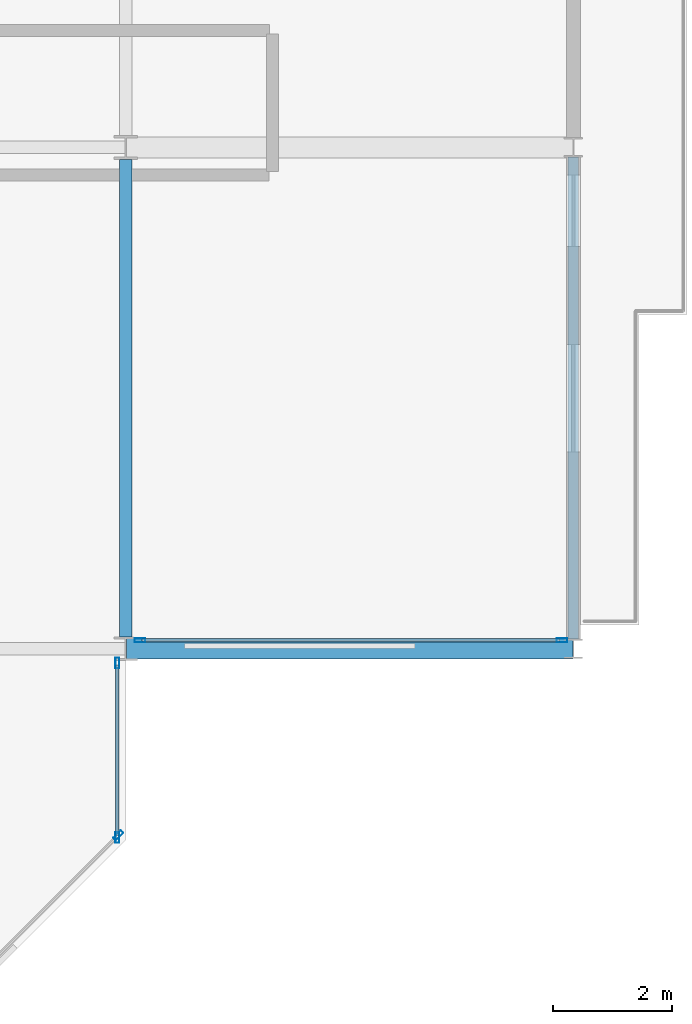
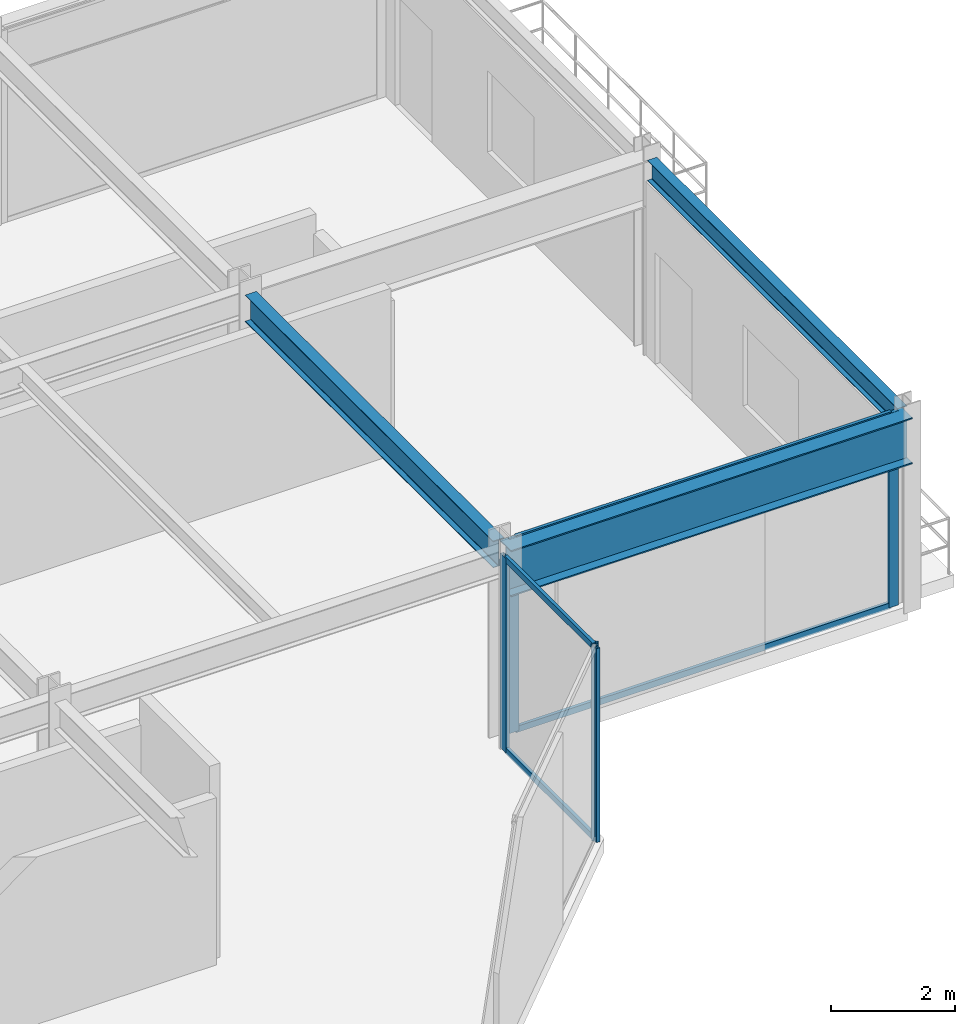
# One storey, part 18 of 38: 9 members, 3 beams, 3 elements without a shape of their own.
"""IFC4 building model written with IfcOpenShell, lengths in metres."""

import ifcopenshell
import ifcopenshell.guid

model = None  # the IFC model being written
_history = None  # IfcOwnerHistory: only IFC2X3 demands one
_inside = {}  # id of a spatial element -> (the spatial element, [elements in it])
_under = {}  # id of a project, library or spatial element -> (it, [spatial elements below it])
_declared = {}  # id of a project -> (the project, [libraries it declares])
_typed = {}  # id of a type object -> (the type object, [elements of that type])
_made_of = {}  # id of a material, layer set ... -> (it, [elements and type objects made of it])


def new_model(schema):
    """Start an empty IFC model of exactly this schema.

    Asked for "IFC4X3", IfcOpenShell would pick the latest addendum, in which some entities
    have other attributes; the version numbers below select the first issue.
    IFC2X3 requires an IfcOwnerHistory on every rooted entity: one is made here for all.
    """
    global model, _history
    if schema == "IFC4X3":
        model = ifcopenshell.file(schema_version=(4, 3, 0, 0))
    else:
        model = ifcopenshell.file(schema=schema)
    _inside.clear()
    _under.clear()
    _declared.clear()
    _typed.clear()
    _made_of.clear()
    _history = None
    if model.schema == "IFC2X3":
        org = make("IfcOrganization", Name="unknown")
        user = make(
            "IfcPersonAndOrganization",
            ThePerson=make("IfcPerson", FamilyName="unknown"),
            TheOrganization=org,
        )
        app = make(
            "IfcApplication",
            ApplicationDeveloper=org,
            Version="unknown",
            ApplicationFullName="unknown",
            ApplicationIdentifier="unknown",
        )
        _history = make(
            "IfcOwnerHistory",
            OwningUser=user,
            OwningApplication=app,
            ChangeAction="ADDED",
            CreationDate=0,
        )
    return model


def make(cls, **values):
    """One entity of the class cls with the attributes given. An attribute that is None is left unset."""
    return model.create_entity(
        cls, **{name: value for name, value in values.items() if value is not None}
    )


def rooted(cls, **values):
    """An entity with a GlobalId (a new one), such as an element, a storey or a relation."""
    return make(cls, GlobalId=ifcopenshell.guid.new(), OwnerHistory=_history, **values)


def si_unit(unit_type, name, prefix=None):
    """IfcSIUnit, for example si_unit("LENGTHUNIT", "METRE", prefix="MILLI")."""
    return make("IfcSIUnit", UnitType=unit_type, Prefix=prefix, Name=name)


def assignment(units):
    """IfcUnitAssignment: the units of a project."""
    return None if units is None else make("IfcUnitAssignment", Units=units)


def point(xyz):
    """IfcCartesianPoint."""
    return None if xyz is None else make("IfcCartesianPoint", Coordinates=xyz)


def direction(xyz):
    """IfcDirection."""
    return None if xyz is None else make("IfcDirection", DirectionRatios=xyz)


def frame(location, z_axis=None, x_axis=None):
    """IfcAxis2Placement3D, a coordinate frame: its origin and axes. An axis left out is left unset."""
    return make(
        "IfcAxis2Placement3D",
        Location=point(location),
        Axis=direction(z_axis),
        RefDirection=direction(x_axis),
    )


def frame_2d(location, x_axis=None):
    """IfcAxis2Placement2D, a coordinate frame in the plane: its origin and x axis."""
    return make(
        "IfcAxis2Placement2D", Location=point(location), RefDirection=direction(x_axis)
    )


def origin():
    """The frame at (0, 0, 0) with its axes left unset."""
    return frame((0.0, 0.0, 0.0))


def origin_2d():
    """The frame at (0, 0) in the plane with its x axis left unset."""
    return frame_2d((0.0, 0.0))


def place(relative_to, where):
    """IfcLocalPlacement: puts the frame where relative to a parent placement (None: the world)."""
    return make(
        "IfcLocalPlacement", PlacementRelTo=relative_to, RelativePlacement=where
    )


def context(
    kind, dimensions, precision=None, world=None, true_north=None, identifier=None
):
    """IfcGeometricRepresentationContext, for example the 3D "Model" context."""
    return make(
        "IfcGeometricRepresentationContext",
        ContextIdentifier=identifier,
        ContextType=kind,
        CoordinateSpaceDimension=dimensions,
        Precision=precision,
        WorldCoordinateSystem=world,
        TrueNorth=true_north,
    )


def subcontext(parent, identifier, kind, view, scale=None):
    """IfcGeometricRepresentationSubContext, for example "Body" below "Model"."""
    return make(
        "IfcGeometricRepresentationSubContext",
        ContextIdentifier=identifier,
        ContextType=kind,
        ParentContext=parent,
        TargetScale=scale,
        TargetView=view,
    )


def project(units=None, contexts=None):
    """IfcProject with its units and contexts."""
    return rooted(
        "IfcProject",
        Name="project",
        RepresentationContexts=contexts,
        UnitsInContext=assignment(units),
    )


def spatial(cls, under=None, at=None, **own):
    """A site, building, storey or space (cls), placed at a placement, below another one or the project."""
    s = rooted(cls, ObjectPlacement=at, **own)
    if under is not None:
        _under.setdefault(under.id(), (under, []))[1].append(s)
    return s


def profile(cls, at=None, kind="AREA", **sizes):
    """A parametric profile (cls). Its sizes go by their IFC names, for example OverallWidth=200.0."""
    return make(cls, ProfileType=kind, Position=at, **sizes)


def hollow_rectangle(**sizes):
    """IfcRectangleHollowProfileDef."""
    return profile("IfcRectangleHollowProfileDef", **sizes)


def i_section(**sizes):
    """IfcIShapeProfileDef."""
    return profile("IfcIShapeProfileDef", **sizes)


def extrude(swept, where, along, depth):
    """IfcExtrudedAreaSolid: the profile swept, set in the frame where, extruded along a direction by depth."""
    return make(
        "IfcExtrudedAreaSolid",
        SweptArea=swept,
        Position=where,
        ExtrudedDirection=direction(along),
        Depth=depth,
    )


def shape(context_of_items, identifier, shape_type, items):
    """IfcShapeRepresentation: the items that make up one representation, for example the "Body"."""
    return make(
        "IfcShapeRepresentation",
        ContextOfItems=context_of_items,
        RepresentationIdentifier=identifier,
        RepresentationType=shape_type,
        Items=items,
    )


def material(Name=None, Category=None):
    """IfcMaterial."""
    return make("IfcMaterial", Name=Name, Category=Category)


def layer(
    of_material, thickness, ventilated=None, Name=None, Category=None, Priority=None
):
    """IfcMaterialLayer: one layer of a wall or slab, of a material (None: an air gap)."""
    return make(
        "IfcMaterialLayer",
        Material=of_material,
        LayerThickness=thickness,
        IsVentilated=ventilated,
        Name=Name,
        Category=Category,
        Priority=Priority,
    )


def layer_set(layers, Name=None):
    """IfcMaterialLayerSet."""
    return make("IfcMaterialLayerSet", MaterialLayers=layers, LayerSetName=Name)


def material_profile(
    of_material, cross_section, Name=None, Category=None, Priority=None
):
    """IfcMaterialProfile: a cross section and its material."""
    return make(
        "IfcMaterialProfile",
        Name=Name,
        Material=of_material,
        Profile=cross_section,
        Priority=Priority,
        Category=Category,
    )


def profile_set(profiles, Name=None, composite=None):
    """IfcMaterialProfileSet."""
    return make(
        "IfcMaterialProfileSet",
        Name=Name,
        MaterialProfiles=profiles,
        CompositeProfile=composite,
    )


def made_of(thing, what):
    """Note that an element or type object is made of a material, layer set ...; save() writes the relation."""
    if what is not None:
        _made_of.setdefault(what.id(), (what, []))[1].append(thing)
    return thing


def type_object(cls, material=None, **own):
    """A type object (cls), such as IfcWallType, which elements share."""
    return made_of(rooted(cls, **own), material)


def element(
    cls,
    number,
    at=None,
    inside=None,
    cuts=None,
    type_object=None,
    material=None,
    context=None,
    identifier="Body",
    shape_type=None,
    held_by="IfcProductDefinitionShape",
    body=None,
    shapes=None,
    **own,
):
    """One element of the class cls, such as IfcWall. Its Tag is "e" and its number.

    at: its placement. inside: the storey or other place that contains it. cuts: it is an
    opening in that element (IfcRelVoidsElement). A single representation is given by context,
    identifier, shape_type and body (its items); several are given by shapes. held_by: the class
    of the entity that holds the representations. save() writes the other relations.
    """
    e = rooted(cls, Tag="e%d" % number, ObjectPlacement=at, **own)
    if body is not None:
        shapes = [shape(context, identifier, shape_type, body)]
    if shapes is not None:
        e.Representation = make(held_by, Representations=shapes)
    if inside is not None:
        _inside.setdefault(inside.id(), (inside, []))[1].append(e)
    if cuts is not None:
        rooted(
            "IfcRelVoidsElement", RelatingBuildingElement=cuts, RelatedOpeningElement=e
        )
    if type_object is not None:
        _typed.setdefault(type_object.id(), (type_object, []))[1].append(e)
    return made_of(e, material)


def aggregate(whole, parts):
    """IfcRelAggregates: a whole, such as a stair, and the parts it consists of."""
    return rooted("IfcRelAggregates", RelatingObject=whole, RelatedObjects=parts)


def save(model, path):
    """Write the relations noted so far, then the file.

    IfcRelAggregates (storeys below a building ...), IfcRelContainedInSpatialStructure (elements
    in a storey), IfcRelDefinesByType, IfcRelAssociatesMaterial and IfcRelDeclares: one each for
    every whole, place, type object, material and project.
    """
    for whole, parts in _under.values():
        aggregate(whole, parts)
    for where, things in _inside.values():
        rooted(
            "IfcRelContainedInSpatialStructure",
            RelatedElements=things,
            RelatingStructure=where,
        )
    for kind, things in _typed.values():
        rooted("IfcRelDefinesByType", RelatedObjects=things, RelatingType=kind)
    for what, things in _made_of.values():
        rooted("IfcRelAssociatesMaterial", RelatedObjects=things, RelatingMaterial=what)
    for by, libraries in _declared.values():
        rooted("IfcRelDeclares", RelatingContext=by, RelatedDefinitions=libraries)
    model.write(path)


model = new_model("IFC4")

# Units and contexts
model_context = context("Model", 3, precision=1e-05, world=origin(), true_north=direction((0.0, 1.0)))
body_context = subcontext(model_context, "Body", "Model", "MODEL_VIEW")
ifc_project = project(units=[si_unit("LENGTHUNIT", "METRE"), si_unit("AREAUNIT", "SQUARE_METRE"), si_unit("VOLUMEUNIT", "CUBIC_METRE"), si_unit("PLANEANGLEUNIT", "RADIAN"), si_unit("MASSUNIT", "GRAM", prefix="KILO")], contexts=[model_context])

# Site, building, storey
site_placement = place(None, origin())
site = spatial("IfcSite", under=ifc_project, at=site_placement, CompositionType="ELEMENT")
building_placement = place(site_placement, origin())
building = spatial("IfcBuilding", under=site, at=building_placement, Name="Nerrivon Quay Data Exchange", CompositionType="ELEMENT")
storey_placement = place(building_placement, frame((0.0, 0.0, 96.699951171875)))
storey = spatial("IfcBuildingStorey", under=building, at=storey_placement, Name="L22", CompositionType="ELEMENT", Elevation=96.699951171875)

# Beams
ifc_material_1 = material(Name="Steel Grade 350", Category="steel")
ifc_material_profile_1 = material_profile(ifc_material_1, i_section(OverallWidth=0.35009765625, OverallDepth=0.909912109375, WebThickness=0.011962890625, FlangeThickness=0.02490234375, at=origin_2d()), Name="900WB218")
ifc_profile_set_1 = profile_set([ifc_material_profile_1], Name="Steel Grade 350")
beam_type_1 = type_object("IfcBeamType", Name="BM-CANT-900WB", PredefinedType="USERDEFINED", material=ifc_profile_set_1)
beam_1_placement = place(storey_placement, frame((50.41259765625, 8.39990234375, 3.3701171875), z_axis=(1.0, 0.0, 0.0), x_axis=(0.0, 1.0, 0.0)))
element("IfcBeam", 1, at=beam_1_placement, inside=storey, type_object=beam_type_1, Name="L22 East Hooked Cantilever Girder Y=8.4", ObjectType="TRANSFER", PredefinedType="USERDEFINED", context=body_context, shape_type="SweptSolid", body=[
    extrude(i_section(OverallWidth=0.35009765625, OverallDepth=0.909912109375, WebThickness=0.011962890625, FlangeThickness=0.02490234375, at=origin_2d()), origin(), (0.0, 0.0, 1.0), 7.4794921875),
])
ifc_material_profile_2 = material_profile(ifc_material_1, i_section(OverallWidth=0.208984375, OverallDepth=0.528076171875, WebThickness=0.009521484375, FlangeThickness=0.01318359375, FilletRadius=0.013916015625, at=origin_2d()), Name="530UB82.0")
ifc_profile_set_2 = profile_set([ifc_material_profile_2], Name="Steel Grade 350")
beam_type_2 = type_object("IfcBeamType", Name="BM-G4-530UB82", PredefinedType="BEAM", material=ifc_profile_set_2)
beam_2_placement = place(storey_placement, frame((50.39990234375, 8.60009765625, 3.56103515625), z_axis=(0.0, 1.0, 0.0), x_axis=(-1.0, 0.0, 0.0)))
element("IfcBeam", 2, at=beam_2_placement, inside=storey, type_object=beam_type_2, Name="L22 NS Girder X=50.4 (8.4..16.8)", PredefinedType="BEAM", context=body_context, shape_type="SweptSolid", body=[
    extrude(i_section(OverallWidth=0.208984375, OverallDepth=0.528076171875, WebThickness=0.009521484375, FlangeThickness=0.01318359375, FilletRadius=0.013916015625, at=origin_2d()), origin(), (0.0, 0.0, 1.0), 8.0),
])
ifc_material_profile_3 = material_profile(ifc_material_1, i_section(OverallWidth=0.177978515625, OverallDepth=0.403076171875, WebThickness=0.007568359375, FlangeThickness=0.010986328125, FilletRadius=0.011474609375, at=origin_2d()), Name="410UB53.7")
ifc_profile_set_3 = profile_set([ifc_material_profile_3], Name="Steel Grade 350")
beam_type_3 = type_object("IfcBeamType", Name="BM-SP2-410UB54", PredefinedType="SPANDREL", material=ifc_profile_set_3)
beam_3_placement = place(storey_placement, frame((57.89990234375, 8.5634765625, 3.62353515625), z_axis=(0.0, 1.0, 0.0), x_axis=(-1.0, 0.0, 0.0)))
element("IfcBeam", 3, at=beam_3_placement, inside=storey, type_object=beam_type_3, Name="L22 East Hooked Edge Spandrel", PredefinedType="SPANDREL", context=body_context, shape_type="SweptSolid", body=[
    extrude(i_section(OverallWidth=0.177978515625, OverallDepth=0.403076171875, WebThickness=0.007568359375, FlangeThickness=0.010986328125, FilletRadius=0.011474609375, at=origin_2d()), origin(), (0.0, 0.0, 1.0), 8.072998046875),
])

# Curtain wall, members
ifc_material_2 = material(Name="Anodised aluminium 6063-T6", Category="aluminium")
ifc_layer_1 = layer(ifc_material_2, 0.199951171875)
ifc_layer_set_1 = layer_set([ifc_layer_1], Name="Anodised aluminium 6063-T6")
curtain_wall_type_1 = type_object("IfcCurtainWallType", Name="CW-SYS-04", PredefinedType="NOTDEFINED", material=ifc_layer_set_1)
curtain_wall_1_placement = place(storey_placement, origin())
curtain_wall_1 = element("IfcCurtainWall", 4, at=curtain_wall_1_placement, inside=storey, type_object=curtain_wall_type_1, Name="L22 Unitised Curtain Wall 3", PredefinedType="NOTDEFINED")
ifc_material_profile_4 = material_profile(ifc_material_2, hollow_rectangle(XDim=0.06494140625, YDim=0.179931640625, WallThickness=0.00341796875, at=origin_2d()), Name="ALU-MULL-180x65")
ifc_profile_set_4 = profile_set([ifc_material_profile_4], Name="Anodised aluminium 6063-T6")
member_type_1 = type_object("IfcMemberType", Name="CWM-180x65", PredefinedType="MULLION", material=ifc_profile_set_4)
member_1_placement = place(storey_placement, frame((57.70703125, 8.5400390625, 0.0), z_axis=(0.0, 0.0, 1.0), x_axis=(0.0, -1.0, 0.0)))
member_1 = element("IfcMember", 5, at=member_1_placement, type_object=member_type_1, Name="CW04 mullion 1", PredefinedType="MULLION", context=body_context, shape_type="SweptSolid", body=[
    extrude(hollow_rectangle(XDim=0.06494140625, YDim=0.179931640625, WallThickness=0.00341796875, at=origin_2d()), origin(), (0.0, 0.0, 1.0), 3.824951171875),
])
member_2_placement = place(storey_placement, frame((50.637451171875, 8.5400390625, 0.0), z_axis=(0.0, 0.0, 1.0), x_axis=(0.0, -1.0, 0.0)))
member_2 = element("IfcMember", 6, at=member_2_placement, type_object=member_type_1, Name="CW04 mullion 2", PredefinedType="MULLION", context=body_context, shape_type="SweptSolid", body=[
    extrude(hollow_rectangle(XDim=0.06494140625, YDim=0.179931640625, WallThickness=0.00341796875, at=origin_2d()), origin(), (0.0, 0.0, 1.0), 3.824951171875),
])

ifc_layer_2 = layer(ifc_material_2, 0.2099609375)
ifc_layer_set_2 = layer_set([ifc_layer_2], Name="Anodised aluminium 6063-T6")
curtain_wall_type_2 = type_object("IfcCurtainWallType", Name="CW-SYS-02", PredefinedType="NOTDEFINED", material=ifc_layer_set_2)
curtain_wall_2_placement = place(storey_placement, origin())
curtain_wall_2 = element("IfcCurtainWall", 7, at=curtain_wall_2_placement, inside=storey, type_object=curtain_wall_type_2, Name="L22 Unitised Curtain Wall 4", PredefinedType="NOTDEFINED")
member_3_placement = place(storey_placement, frame((50.260009765625, 8.16259765625, 0.0), z_axis=(0.0, 0.0, 1.0), x_axis=(1.0, 0.0, 0.0)))
member_3 = element("IfcMember", 8, at=member_3_placement, type_object=member_type_1, Name="CW02 mullion 1", PredefinedType="MULLION", context=body_context, shape_type="SweptSolid", body=[
    extrude(hollow_rectangle(XDim=0.06494140625, YDim=0.179931640625, WallThickness=0.00341796875, at=origin_2d()), origin(), (0.0, 0.0, 1.0), 3.824951171875),
])
member_4_placement = place(storey_placement, frame((50.260009765625, 5.237548828125, 0.0), z_axis=(0.0, 0.0, 1.0), x_axis=(1.0, 0.0, 0.0)))
member_4 = element("IfcMember", 9, at=member_4_placement, type_object=member_type_1, Name="CW02 mullion 2", PredefinedType="MULLION", context=body_context, shape_type="SweptSolid", body=[
    extrude(hollow_rectangle(XDim=0.06494140625, YDim=0.179931640625, WallThickness=0.00341796875, at=origin_2d()), origin(), (0.0, 0.0, 1.0), 3.824951171875),
])

# Curtain wall, member
curtain_wall_3_placement = place(storey_placement, origin())
curtain_wall_3 = element("IfcCurtainWall", 10, at=curtain_wall_3_placement, inside=storey, type_object=curtain_wall_type_2, Name="L22 Unitised Curtain Wall 5", PredefinedType="NOTDEFINED")
member_5_placement = place(storey_placement, frame((50.2744140625, 5.2724609375, 0.0), z_axis=(0.0, 0.0, 1.0), x_axis=(0.707106781187, -0.707106781187, 0.0)))
member_5 = element("IfcMember", 11, at=member_5_placement, type_object=member_type_1, Name="CW02 mullion 1", PredefinedType="MULLION", context=body_context, shape_type="SweptSolid", body=[
    extrude(hollow_rectangle(XDim=0.06494140625, YDim=0.179931640625, WallThickness=0.00341796875, at=origin_2d()), origin(), (0.0, 0.0, 1.0), 3.824951171875),
])
aggregate(curtain_wall_3, [member_5])

# Member
ifc_material_profile_5 = material_profile(ifc_material_2, hollow_rectangle(XDim=0.06005859375, YDim=0.1201171875, WallThickness=0.003173828125, at=origin_2d()), Name="ALU-TRAN-120x60")
ifc_profile_set_5 = profile_set([ifc_material_profile_5], Name="Anodised aluminium 6063-T6")
member_type_2 = type_object("IfcMemberType", Name="CWT-120x60", PredefinedType="USERDEFINED", material=ifc_profile_set_5)
member_6_placement = place(storey_placement, frame((57.66943359375, 8.5400390625, 0.032470703125), z_axis=(-1.0, 0.0, 0.0), x_axis=(0.0, -1.0, 0.0)))
member_6 = element("IfcMember", 12, at=member_6_placement, type_object=member_type_2, Name="CW04 transom 1.1", ObjectType="TRANSOM", PredefinedType="USERDEFINED", context=body_context, shape_type="SweptSolid", body=[
    extrude(hollow_rectangle(XDim=0.06005859375, YDim=0.1201171875, WallThickness=0.003173828125, at=origin_2d()), origin(), (0.0, 0.0, 1.0), 6.994384765625),
])

member_7_placement = place(storey_placement, frame((57.66943359375, 8.5400390625, 3.79248046875), z_axis=(-1.0, 0.0, 0.0), x_axis=(0.0, -1.0, 0.0)))
member_7 = element("IfcMember", 13, at=member_7_placement, type_object=member_type_2, Name="CW04 transom 1.2", ObjectType="TRANSOM", PredefinedType="USERDEFINED", context=body_context, shape_type="SweptSolid", body=[
    extrude(hollow_rectangle(XDim=0.06005859375, YDim=0.1201171875, WallThickness=0.003173828125, at=origin_2d()), origin(), (0.0, 0.0, 1.0), 6.994384765625),
])

aggregate(curtain_wall_1, [member_1, member_2, member_6, member_7])

member_8_placement = place(storey_placement, frame((50.260009765625, 8.125, 0.032470703125), z_axis=(0.0, -1.0, 0.0), x_axis=(1.0, 0.0, 0.0)))
member_8 = element("IfcMember", 14, at=member_8_placement, type_object=member_type_2, Name="CW02 transom 1.1", ObjectType="TRANSOM", PredefinedType="USERDEFINED", context=body_context, shape_type="SweptSolid", body=[
    extrude(hollow_rectangle(XDim=0.06005859375, YDim=0.1201171875, WallThickness=0.003173828125, at=origin_2d()), origin(), (0.0, 0.0, 1.0), 2.85009765625),
])

member_9_placement = place(storey_placement, frame((50.260009765625, 8.125, 3.79248046875), z_axis=(0.0, -1.0, 0.0), x_axis=(1.0, 0.0, 0.0)))
member_9 = element("IfcMember", 15, at=member_9_placement, type_object=member_type_2, Name="CW02 transom 1.2", ObjectType="TRANSOM", PredefinedType="USERDEFINED", context=body_context, shape_type="SweptSolid", body=[
    extrude(hollow_rectangle(XDim=0.06005859375, YDim=0.1201171875, WallThickness=0.003173828125, at=origin_2d()), origin(), (0.0, 0.0, 1.0), 2.85009765625),
])

aggregate(curtain_wall_2, [member_3, member_4, member_8, member_9])

save(model, "model.ifc")
